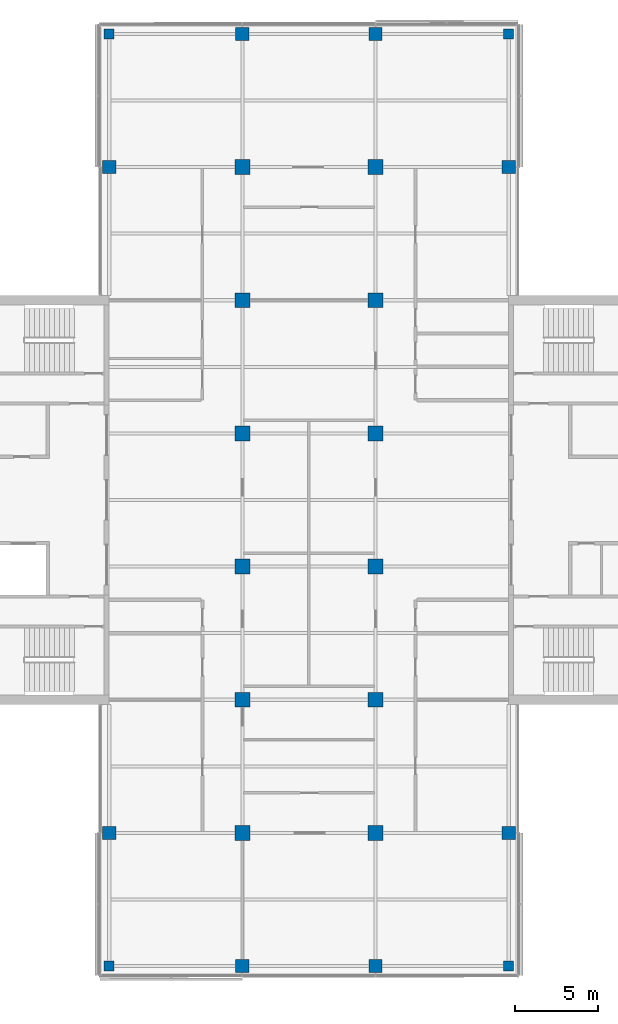
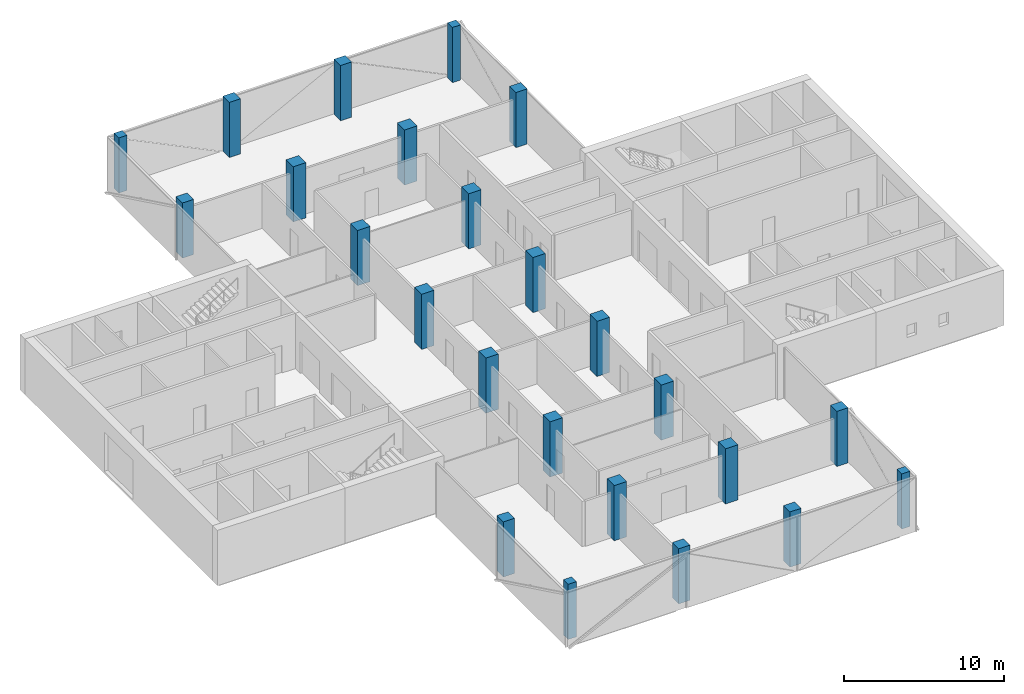
# One storey, part 1 of 16: 24 columns.
"""IFC4 building model written with IfcOpenShell, lengths in metres."""

import ifcopenshell
import ifcopenshell.guid

model = None  # the IFC model being written
_history = None  # IfcOwnerHistory: only IFC2X3 demands one
_inside = {}  # id of a spatial element -> (the spatial element, [elements in it])
_under = {}  # id of a project, library or spatial element -> (it, [spatial elements below it])
_declared = {}  # id of a project -> (the project, [libraries it declares])
_typed = {}  # id of a type object -> (the type object, [elements of that type])
_made_of = {}  # id of a material, layer set ... -> (it, [elements and type objects made of it])


def new_model(schema):
    """Start an empty IFC model of exactly this schema.

    Asked for "IFC4X3", IfcOpenShell would pick the latest addendum, in which some entities
    have other attributes; the version numbers below select the first issue.
    IFC2X3 requires an IfcOwnerHistory on every rooted entity: one is made here for all.
    """
    global model, _history
    if schema == "IFC4X3":
        model = ifcopenshell.file(schema_version=(4, 3, 0, 0))
    else:
        model = ifcopenshell.file(schema=schema)
    _inside.clear()
    _under.clear()
    _declared.clear()
    _typed.clear()
    _made_of.clear()
    _history = None
    if model.schema == "IFC2X3":
        org = make("IfcOrganization", Name="unknown")
        user = make(
            "IfcPersonAndOrganization",
            ThePerson=make("IfcPerson", FamilyName="unknown"),
            TheOrganization=org,
        )
        app = make(
            "IfcApplication",
            ApplicationDeveloper=org,
            Version="unknown",
            ApplicationFullName="unknown",
            ApplicationIdentifier="unknown",
        )
        _history = make(
            "IfcOwnerHistory",
            OwningUser=user,
            OwningApplication=app,
            ChangeAction="ADDED",
            CreationDate=0,
        )
    return model


def make(cls, **values):
    """One entity of the class cls with the attributes given. An attribute that is None is left unset."""
    return model.create_entity(
        cls, **{name: value for name, value in values.items() if value is not None}
    )


def rooted(cls, **values):
    """An entity with a GlobalId (a new one), such as an element, a storey or a relation."""
    return make(cls, GlobalId=ifcopenshell.guid.new(), OwnerHistory=_history, **values)


def si_unit(unit_type, name, prefix=None):
    """IfcSIUnit, for example si_unit("LENGTHUNIT", "METRE", prefix="MILLI")."""
    return make("IfcSIUnit", UnitType=unit_type, Prefix=prefix, Name=name)


def assignment(units):
    """IfcUnitAssignment: the units of a project."""
    return None if units is None else make("IfcUnitAssignment", Units=units)


def point(xyz):
    """IfcCartesianPoint."""
    return None if xyz is None else make("IfcCartesianPoint", Coordinates=xyz)


def direction(xyz):
    """IfcDirection."""
    return None if xyz is None else make("IfcDirection", DirectionRatios=xyz)


def frame(location, z_axis=None, x_axis=None):
    """IfcAxis2Placement3D, a coordinate frame: its origin and axes. An axis left out is left unset."""
    return make(
        "IfcAxis2Placement3D",
        Location=point(location),
        Axis=direction(z_axis),
        RefDirection=direction(x_axis),
    )


def frame_2d(location, x_axis=None):
    """IfcAxis2Placement2D, a coordinate frame in the plane: its origin and x axis."""
    return make(
        "IfcAxis2Placement2D", Location=point(location), RefDirection=direction(x_axis)
    )


def origin():
    """The frame at (0, 0, 0) with its axes left unset."""
    return frame((0.0, 0.0, 0.0))


def origin_2d():
    """The frame at (0, 0) in the plane with its x axis left unset."""
    return frame_2d((0.0, 0.0))


def place(relative_to, where):
    """IfcLocalPlacement: puts the frame where relative to a parent placement (None: the world)."""
    return make(
        "IfcLocalPlacement", PlacementRelTo=relative_to, RelativePlacement=where
    )


def context(
    kind, dimensions, precision=None, world=None, true_north=None, identifier=None
):
    """IfcGeometricRepresentationContext, for example the 3D "Model" context."""
    return make(
        "IfcGeometricRepresentationContext",
        ContextIdentifier=identifier,
        ContextType=kind,
        CoordinateSpaceDimension=dimensions,
        Precision=precision,
        WorldCoordinateSystem=world,
        TrueNorth=true_north,
    )


def subcontext(parent, identifier, kind, view, scale=None):
    """IfcGeometricRepresentationSubContext, for example "Body" below "Model"."""
    return make(
        "IfcGeometricRepresentationSubContext",
        ContextIdentifier=identifier,
        ContextType=kind,
        ParentContext=parent,
        TargetScale=scale,
        TargetView=view,
    )


def project(units=None, contexts=None):
    """IfcProject with its units and contexts."""
    return rooted(
        "IfcProject",
        Name="project",
        RepresentationContexts=contexts,
        UnitsInContext=assignment(units),
    )


def spatial(cls, under=None, at=None, **own):
    """A site, building, storey or space (cls), placed at a placement, below another one or the project."""
    s = rooted(cls, ObjectPlacement=at, **own)
    if under is not None:
        _under.setdefault(under.id(), (under, []))[1].append(s)
    return s


def profile(cls, at=None, kind="AREA", **sizes):
    """A parametric profile (cls). Its sizes go by their IFC names, for example OverallWidth=200.0."""
    return make(cls, ProfileType=kind, Position=at, **sizes)


def rectangle(**sizes):
    """IfcRectangleProfileDef."""
    return profile("IfcRectangleProfileDef", **sizes)


def extrude(swept, where, along, depth):
    """IfcExtrudedAreaSolid: the profile swept, set in the frame where, extruded along a direction by depth."""
    return make(
        "IfcExtrudedAreaSolid",
        SweptArea=swept,
        Position=where,
        ExtrudedDirection=direction(along),
        Depth=depth,
    )


def shape(context_of_items, identifier, shape_type, items):
    """IfcShapeRepresentation: the items that make up one representation, for example the "Body"."""
    return make(
        "IfcShapeRepresentation",
        ContextOfItems=context_of_items,
        RepresentationIdentifier=identifier,
        RepresentationType=shape_type,
        Items=items,
    )


def material(Name=None, Category=None):
    """IfcMaterial."""
    return make("IfcMaterial", Name=Name, Category=Category)


def material_profile(
    of_material, cross_section, Name=None, Category=None, Priority=None
):
    """IfcMaterialProfile: a cross section and its material."""
    return make(
        "IfcMaterialProfile",
        Name=Name,
        Material=of_material,
        Profile=cross_section,
        Priority=Priority,
        Category=Category,
    )


def profile_set(profiles, Name=None, composite=None):
    """IfcMaterialProfileSet."""
    return make(
        "IfcMaterialProfileSet",
        Name=Name,
        MaterialProfiles=profiles,
        CompositeProfile=composite,
    )


def made_of(thing, what):
    """Note that an element or type object is made of a material, layer set ...; save() writes the relation."""
    if what is not None:
        _made_of.setdefault(what.id(), (what, []))[1].append(thing)
    return thing


def type_object(cls, material=None, **own):
    """A type object (cls), such as IfcWallType, which elements share."""
    return made_of(rooted(cls, **own), material)


def element(
    cls,
    number,
    at=None,
    inside=None,
    cuts=None,
    type_object=None,
    material=None,
    context=None,
    identifier="Body",
    shape_type=None,
    held_by="IfcProductDefinitionShape",
    body=None,
    shapes=None,
    **own,
):
    """One element of the class cls, such as IfcWall. Its Tag is "e" and its number.

    at: its placement. inside: the storey or other place that contains it. cuts: it is an
    opening in that element (IfcRelVoidsElement). A single representation is given by context,
    identifier, shape_type and body (its items); several are given by shapes. held_by: the class
    of the entity that holds the representations. save() writes the other relations.
    """
    e = rooted(cls, Tag="e%d" % number, ObjectPlacement=at, **own)
    if body is not None:
        shapes = [shape(context, identifier, shape_type, body)]
    if shapes is not None:
        e.Representation = make(held_by, Representations=shapes)
    if inside is not None:
        _inside.setdefault(inside.id(), (inside, []))[1].append(e)
    if cuts is not None:
        rooted(
            "IfcRelVoidsElement", RelatingBuildingElement=cuts, RelatedOpeningElement=e
        )
    if type_object is not None:
        _typed.setdefault(type_object.id(), (type_object, []))[1].append(e)
    return made_of(e, material)


def aggregate(whole, parts):
    """IfcRelAggregates: a whole, such as a stair, and the parts it consists of."""
    return rooted("IfcRelAggregates", RelatingObject=whole, RelatedObjects=parts)


def save(model, path):
    """Write the relations noted so far, then the file.

    IfcRelAggregates (storeys below a building ...), IfcRelContainedInSpatialStructure (elements
    in a storey), IfcRelDefinesByType, IfcRelAssociatesMaterial and IfcRelDeclares: one each for
    every whole, place, type object, material and project.
    """
    for whole, parts in _under.values():
        aggregate(whole, parts)
    for where, things in _inside.values():
        rooted(
            "IfcRelContainedInSpatialStructure",
            RelatedElements=things,
            RelatingStructure=where,
        )
    for kind, things in _typed.values():
        rooted("IfcRelDefinesByType", RelatedObjects=things, RelatingType=kind)
    for what, things in _made_of.values():
        rooted("IfcRelAssociatesMaterial", RelatedObjects=things, RelatingMaterial=what)
    for by, libraries in _declared.values():
        rooted("IfcRelDeclares", RelatingContext=by, RelatedDefinitions=libraries)
    model.write(path)


model = new_model("IFC4")

# Units and contexts
model_context = context("Model", 3, precision=1e-05, world=origin(), true_north=direction((0.0, 1.0)))
body_context = subcontext(model_context, "Body", "Model", "MODEL_VIEW")
ifc_project = project(units=[si_unit("LENGTHUNIT", "METRE"), si_unit("AREAUNIT", "SQUARE_METRE"), si_unit("VOLUMEUNIT", "CUBIC_METRE"), si_unit("PLANEANGLEUNIT", "RADIAN"), si_unit("MASSUNIT", "GRAM", prefix="KILO")], contexts=[model_context])

# Site, building, storey
site_placement = place(None, origin())
site = spatial("IfcSite", under=ifc_project, at=site_placement, CompositionType="ELEMENT")
building_placement = place(site_placement, origin())
building = spatial("IfcBuilding", under=site, at=building_placement, Name="Crosswind Convention Tower", CompositionType="ELEMENT")
storey_placement = place(building_placement, frame((0.0, 0.0, 216.699951171875)))
storey = spatial("IfcBuildingStorey", under=building, at=storey_placement, Name="L46", CompositionType="ELEMENT", Elevation=216.699951171875)

# Columns
ifc_material = material(Name="Concrete C60/75", Category="concrete")
ifc_material_profile_1 = material_profile(ifc_material, rectangle(XDim=0.60009765625, YDim=0.60009765625, at=origin_2d()), Name="RC 600X600")
ifc_profile_set_1 = profile_set([ifc_material_profile_1], Name="Concrete C60/75")
column_type_1 = type_object("IfcColumnType", Name="Column RC 600X600", PredefinedType="COLUMN", material=ifc_profile_set_1)
for number, where, z_axis, x_axis, name in (
    (1, (113.0, 72.0, 0.0), (0.0, 0.0, 1.0), (1.0, 0.0, 0.0), "C16 L46 5/C"),
    (2, (113.0, 128.0, 0.0), (0.0, 0.0, 1.0), (1.0, 0.0, 0.0), "C16 L46 5/J"),
    (3, (137.0, 72.0, 0.0), (0.0, 0.0, 1.0), (1.0, 0.0, 0.0), "C16 L46 8/C"),
    (4, (137.0, 128.0, 0.0), (0.0, 0.0, 1.0), (1.0, 0.0, 0.0), "C16 L46 8/J"),
):
    element("IfcColumn", number, at=place(storey_placement, frame(where, z_axis=z_axis, x_axis=x_axis)), inside=storey, type_object=column_type_1, Name=name, PredefinedType="COLUMN", context=body_context, shape_type="SweptSolid", body=[
        extrude(rectangle(XDim=0.60009765625, YDim=0.60009765625, at=origin_2d()), origin(), (0.0, 0.0, 1.0), 4.199951171875),
    ])
ifc_material_profile_2 = material_profile(ifc_material, rectangle(XDim=0.800048828125, YDim=0.800048828125, at=origin_2d()), Name="RC 800X800")
ifc_profile_set_2 = profile_set([ifc_material_profile_2], Name="Concrete C60/75")
column_type_2 = type_object("IfcColumnType", Name="Column RC 800X800", PredefinedType="COLUMN", material=ifc_profile_set_2)
for number, where, z_axis, x_axis, name in (
    (5, (113.0, 80.0, 0.0), (0.0, 0.0, 1.0), (1.0, 0.0, 0.0), "C14 L46 5/D"),
    (6, (113.0, 120.0, 0.0), (0.0, 0.0, 1.0), (1.0, 0.0, 0.0), "C14 L46 5/I"),
    (7, (121.0, 72.0, 0.0), (0.0, 0.0, 1.0), (1.0, 0.0, 0.0), "C14 L46 6/C"),
    (8, (121.0, 128.0, 0.0), (0.0, 0.0, 1.0), (1.0, 0.0, 0.0), "C14 L46 6/J"),
    (9, (129.0, 72.0, 0.0), (0.0, 0.0, 1.0), (1.0, 0.0, 0.0), "C14 L46 7/C"),
    (10, (129.0, 128.0, 0.0), (0.0, 0.0, 1.0), (1.0, 0.0, 0.0), "C14 L46 7/J"),
    (11, (137.0, 80.0, 0.0), (0.0, 0.0, 1.0), (1.0, 0.0, 0.0), "C14 L46 8/D"),
    (12, (137.0, 120.0, 0.0), (0.0, 0.0, 1.0), (1.0, 0.0, 0.0), "C14 L46 8/I"),
):
    element("IfcColumn", number, at=place(storey_placement, frame(where, z_axis=z_axis, x_axis=x_axis)), inside=storey, type_object=column_type_2, Name=name, PredefinedType="COLUMN", context=body_context, shape_type="SweptSolid", body=[
        extrude(rectangle(XDim=0.800048828125, YDim=0.800048828125, at=origin_2d()), origin(), (0.0, 0.0, 1.0), 4.199951171875),
    ])
ifc_material_profile_3 = material_profile(ifc_material, rectangle(XDim=0.89990234375, YDim=0.89990234375, at=origin_2d()), Name="RC 900X900")
ifc_profile_set_3 = profile_set([ifc_material_profile_3], Name="Concrete C60/75")
column_type_3 = type_object("IfcColumnType", Name="Column RC 900X900", PredefinedType="COLUMN", material=ifc_profile_set_3)
for number, where, z_axis, x_axis, name in (
    (13, (121.0, 80.0, 0.0), (0.0, 0.0, 1.0), (1.0, 0.0, 0.0), "C13 L46 6/D"),
    (14, (121.0, 88.0, 0.0), (0.0, 0.0, 1.0), (1.0, 0.0, 0.0), "C13 L46 6/E"),
    (15, (121.0, 96.0, 0.0), (0.0, 0.0, 1.0), (1.0, 0.0, 0.0), "C13 L46 6/F"),
    (16, (121.0, 104.0, 0.0), (0.0, 0.0, 1.0), (1.0, 0.0, 0.0), "C13 L46 6/G"),
    (17, (121.0, 112.0, 0.0), (0.0, 0.0, 1.0), (1.0, 0.0, 0.0), "C13 L46 6/H"),
    (18, (121.0, 120.0, 0.0), (0.0, 0.0, 1.0), (1.0, 0.0, 0.0), "C13 L46 6/I"),
    (19, (129.0, 80.0, 0.0), (0.0, 0.0, 1.0), (1.0, 0.0, 0.0), "C13 L46 7/D"),
    (20, (129.0, 88.0, 0.0), (0.0, 0.0, 1.0), (1.0, 0.0, 0.0), "C13 L46 7/E"),
    (21, (129.0, 96.0, 0.0), (0.0, 0.0, 1.0), (1.0, 0.0, 0.0), "C13 L46 7/F"),
    (22, (129.0, 104.0, 0.0), (0.0, 0.0, 1.0), (1.0, 0.0, 0.0), "C13 L46 7/G"),
    (23, (129.0, 112.0, 0.0), (0.0, 0.0, 1.0), (1.0, 0.0, 0.0), "C13 L46 7/H"),
    (24, (129.0, 120.0, 0.0), (0.0, 0.0, 1.0), (1.0, 0.0, 0.0), "C13 L46 7/I"),
):
    element("IfcColumn", number, at=place(storey_placement, frame(where, z_axis=z_axis, x_axis=x_axis)), inside=storey, type_object=column_type_3, Name=name, PredefinedType="COLUMN", context=body_context, shape_type="SweptSolid", body=[
        extrude(rectangle(XDim=0.89990234375, YDim=0.89990234375, at=origin_2d()), origin(), (0.0, 0.0, 1.0), 4.199951171875),
    ])

save(model, "model.ifc")
